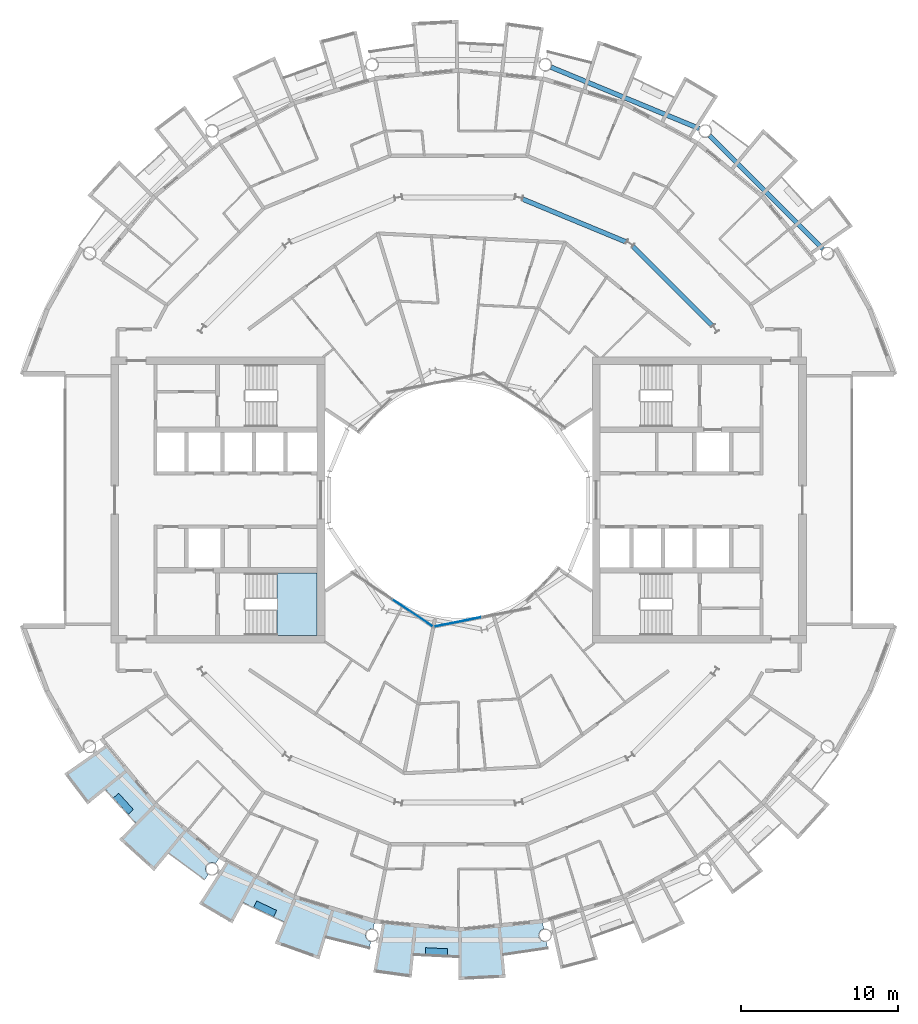
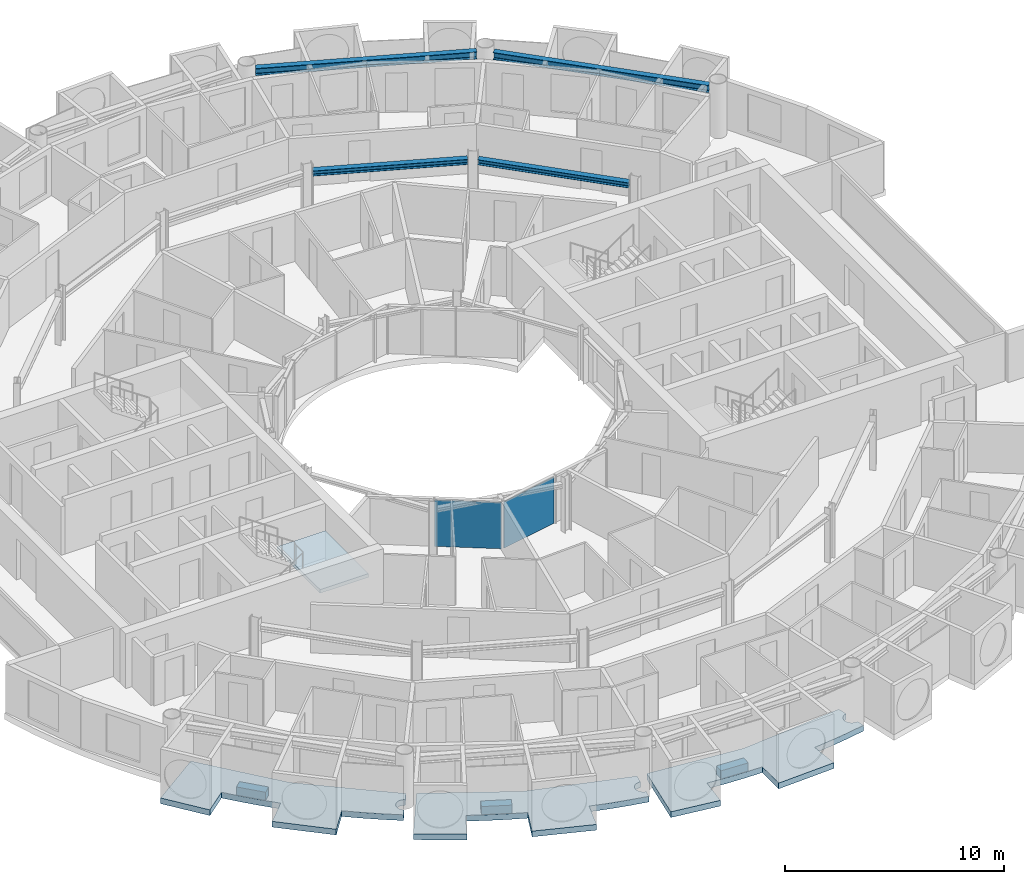
# One storey, part 10 of 27: 7 slabs, 4 beams, 2 plates, 3 elements without a shape of their own.
"""IFC4 building model written with IfcOpenShell, lengths in metres."""

from ifc_helpers import new_model, si_unit, direction, frame, origin, origin_2d, place, context, subcontext, project, spatial, polyline, rectangle, i_section, outline, extrude, material, layer, layer_set, material_profile, profile_set, type_object, element, aggregate, save


model = new_model("IFC4")

# Units and contexts
model_context = context("Model", 3, precision=1e-05, world=origin(), true_north=direction((0.0, 1.0)))
body_context = subcontext(model_context, "Body", "Model", "MODEL_VIEW")
ifc_project = project(units=[si_unit("LENGTHUNIT", "METRE"), si_unit("AREAUNIT", "SQUARE_METRE"), si_unit("VOLUMEUNIT", "CUBIC_METRE"), si_unit("PLANEANGLEUNIT", "RADIAN"), si_unit("MASSUNIT", "GRAM", prefix="KILO")], contexts=[model_context])

# Site, building, storey
site_placement = place(None, origin())
site = spatial("IfcSite", under=ifc_project, at=site_placement, CompositionType="ELEMENT")
building_placement = place(site_placement, origin())
building = spatial("IfcBuilding", under=site, at=building_placement, Name="Maasbend Ring Residences", CompositionType="ELEMENT")
storey_placement = place(building_placement, frame((0.0, 0.0, 167.699951171875)))
storey = spatial("IfcBuildingStorey", under=building, at=storey_placement, Name="L48", CompositionType="ELEMENT", Elevation=167.699951171875)

# Beams
ifc_material_1 = material(Name="Steel S355J2", Category="steel")
ifc_material_profile_1 = material_profile(ifc_material_1, i_section(OverallWidth=0.300048828125, OverallDepth=0.2900390625, WebThickness=0.008544921875, FlangeThickness=0.013916015625, FilletRadius=0.027099609375, at=origin_2d()), Name="HEA 300")
ifc_profile_set_1 = profile_set([ifc_material_profile_1], Name="Steel S355J2")
beam_type_1 = type_object("IfcBeamType", Name="Corridor ring beam HEA 300", PredefinedType="BEAM", material=ifc_profile_set_1)
for number, where, z_axis, x_axis, name in (
    (1, (16.11669921875, 11.0693359375, 2.554931640625), (-0.707106781187, 0.707106781187, 0.0), (-0.707106781187, -0.707106781187, 0.0), "Corridor ring beam"),
    (2, (10.65380859375, 16.394287109375, 2.554931640625), (-0.923871339849, 0.382703210602, 0.0), (-0.382703210602, -0.923871339849, 0.0), "Corridor ring beam"),
):
    element("IfcBeam", number, at=place(storey_placement, frame(where, z_axis=z_axis, x_axis=x_axis)), inside=storey, type_object=beam_type_1, Name=name, PredefinedType="BEAM", context=body_context, shape_type="SweptSolid", body=[
        extrude(i_section(OverallWidth=0.300048828125, OverallDepth=0.2900390625, WebThickness=0.008544921875, FlangeThickness=0.013916015625, FilletRadius=0.027099609375, at=origin_2d()), origin(), (0.0, 0.0, 1.0), 7.137939453125),
    ])
ifc_material_2 = material(Name="Steel S355J2", Category="steel")
ifc_material_profile_2 = material_profile(ifc_material_2, i_section(OverallWidth=0.300048828125, OverallDepth=0.39990234375, WebThickness=0.013427734375, FlangeThickness=0.02392578125, FilletRadius=0.027099609375, at=origin_2d()), Name="HEB 400")
ifc_profile_set_2 = profile_set([ifc_material_profile_2], Name="Steel S355J2")
beam_type_2 = type_object("IfcBeamType", Name="Spandrel ring beam HEB 400", PredefinedType="SPANDREL", material=ifc_profile_set_2)
for number, where, z_axis, x_axis, name in (
    (3, (23.159912109375, 15.95458984375, 2.5), (-0.707106781187, 0.707106781187, 0.0), (-0.707106781187, -0.707106781187, 0.0), "Spandrel ring beam"),
    (4, (15.29150390625, 23.60302734375, 2.5), (-0.923883676188, 0.382673428492, 0.0), (-0.382673428492, -0.923883676188, 0.0), "Spandrel ring beam"),
):
    element("IfcBeam", number, at=place(storey_placement, frame(where, z_axis=z_axis, x_axis=x_axis)), inside=storey, type_object=beam_type_2, Name=name, PredefinedType="SPANDREL", context=body_context, shape_type="SweptSolid", body=[
        extrude(i_section(OverallWidth=0.300048828125, OverallDepth=0.39990234375, WebThickness=0.013427734375, FlangeThickness=0.02392578125, FilletRadius=0.027099609375, at=origin_2d()), origin(), (0.0, 0.0, 1.0), 10.18994140625),
    ])

# Stair, slab
ifc_material_3 = material(Name="Concrete C40/50", Category="concrete")
stair_type = type_object("IfcStairType", Name="CORE STAIR 18 RISERS", PredefinedType="HALF_TURN_STAIR", material=ifc_material_3)
stair_placement = place(storey_placement, origin())
stair = element("IfcStair", 5, at=stair_placement, inside=storey, type_object=stair_type, Name="L48 Exit stair ST-W1", PredefinedType="HALF_TURN_STAIR")
ifc_material_4 = material(Name="Concrete C40/50", Category="concrete")
ifc_layer_1 = layer(ifc_material_4, 0.199951171875)
ifc_layer_set_1 = layer_set([ifc_layer_1], Name="Concrete C40/50")
slab_type_1 = type_object("IfcSlabType", Name="CORE STAIR LANDING 200", PredefinedType="LANDING", material=ifc_layer_set_1)
slab_1_placement = place(storey_placement, frame((0.0, 0.0, 1.324951171875)))
slab_1 = element("IfcSlab", 6, at=slab_1_placement, type_object=slab_type_1, Name="ST-W1 landing 1", PredefinedType="LANDING", context=body_context, shape_type="SweptSolid", body=[
    extrude(outline(polyline([(-11.550048828125, -8.60009765625), (-9.0, -8.60009765625), (-9.0, -4.64990234375), (-11.550048828125, -4.64990234375), (-11.550048828125, -8.60009765625)])), origin(), (0.0, 0.0, 1.0), 0.2001953125),
])
aggregate(stair, [slab_1])

# Curtain wall, plate
ifc_material_5 = material(Name="Aluminium and clear glass", Category="aluminium")
ifc_layer_2 = layer(ifc_material_5, 0.179931640625)
ifc_layer_set_2 = layer_set([ifc_layer_2], Name="CW-W")
curtain_wall_type = type_object("IfcCurtainWallType", Name="CW-W", PredefinedType="NOTDEFINED", material=ifc_layer_set_2)
curtain_wall_1_placement = place(storey_placement, origin())
curtain_wall_1 = element("IfcCurtainWall", 7, at=curtain_wall_1_placement, inside=storey, type_object=curtain_wall_type, Name="Well curtain wall S1", PredefinedType="NOTDEFINED")
ifc_material_6 = material(Name="Glass clear laminated", Category="glass")
ifc_layer_3 = layer(ifc_material_6, 0.031982421875)
ifc_layer_set_3 = layer_set([ifc_layer_3], Name="CWP-W")
plate_type = type_object("IfcPlateType", Name="CWP-W", PredefinedType="CURTAIN_PANEL", material=ifc_layer_set_3)
plate_1_placement = place(storey_placement, frame((-2.922119140625, -7.17578125, 0.0), z_axis=(0.0, 0.0, 1.0), x_axis=(0.831469612303, -0.55557023302, 0.0)))
plate_1 = element("IfcPlate", 8, at=plate_1_placement, type_object=plate_type, Name="Glass panel well face", PredefinedType="CURTAIN_PANEL", context=body_context, shape_type="SweptSolid", body=[
    extrude(rectangle(XDim=3.053955078125, YDim=0.031982421875, at=origin_2d()), origin(), (0.0, 0.0, 1.0), 2.580078125),
])
aggregate(curtain_wall_1, [plate_1])

curtain_wall_2_placement = place(storey_placement, origin())
curtain_wall_2 = element("IfcCurtainWall", 9, at=curtain_wall_2_placement, inside=storey, type_object=curtain_wall_type, Name="Well curtain wall S2", PredefinedType="NOTDEFINED")
plate_2_placement = place(storey_placement, frame((-0.04638671875, -7.747802734375, 0.0), z_axis=(0.0, 0.0, 1.0), x_axis=(0.980785280403, 0.195090322016, 0.0)))
plate_2 = element("IfcPlate", 10, at=plate_2_placement, type_object=plate_type, Name="Glass panel well face", PredefinedType="CURTAIN_PANEL", context=body_context, shape_type="SweptSolid", body=[
    extrude(rectangle(XDim=3.053955078125, YDim=0.031982421875, at=origin_2d()), origin(), (0.0, 0.0, 1.0), 2.580078125),
])
aggregate(curtain_wall_2, [plate_2])

# Slabs
ifc_material_7 = material(Name="Planting with climbing greenery")
ifc_layer_4 = layer(ifc_material_7, 0.449951171875)
ifc_layer_set_4 = layer_set([ifc_layer_4], Name="PLANTER-LG")
slab_type_2 = type_object("IfcSlabType", Name="PLANTER-LG", PredefinedType="USERDEFINED", material=ifc_layer_set_4)
slab_2_placement = place(storey_placement, frame((0.0, 0.0, -0.030029296875)))
element("IfcSlab", 11, at=slab_2_placement, inside=storey, type_object=slab_type_2, Name="Planter with climbing greenery 1", ObjectType="PLANTER", PredefinedType="USERDEFINED", context=body_context, shape_type="SweptSolid", body=[
    extrude(outline(polyline([(-21.931884765625, -18.93310546875), (-20.991943359375, -19.969970703125), (-20.657958984375, -19.66796875), (-21.597900390625, -18.631103515625), (-21.931884765625, -18.93310546875)])), origin(), (0.0, 0.0, 1.0), 0.4501953125),
])
slab_3_placement = place(storey_placement, frame((0.0, 0.0, -0.030029296875)))
element("IfcSlab", 12, at=slab_3_placement, inside=storey, type_object=slab_type_2, Name="Planter with climbing greenery 2", ObjectType="PLANTER", PredefinedType="USERDEFINED", context=body_context, shape_type="SweptSolid", body=[
    extrude(outline(polyline([(-13.01708984375, -25.885009765625), (-11.7509765625, -26.48291015625), (-11.55908203125, -26.076904296875), (-12.824951171875, -25.47802734375), (-13.01708984375, -25.885009765625)])), origin(), (0.0, 0.0, 1.0), 0.4501953125),
])
slab_4_placement = place(storey_placement, frame((0.0, 0.0, -0.030029296875)))
element("IfcSlab", 13, at=slab_4_placement, inside=storey, type_object=slab_type_2, Name="Planter with climbing greenery 3", ObjectType="PLANTER", PredefinedType="USERDEFINED", context=body_context, shape_type="SweptSolid", body=[
    extrude(outline(polyline([(-2.1201171875, -28.89599609375), (-0.721923828125, -28.965087890625), (-0.699951171875, -28.514892578125), (-2.097900390625, -28.446044921875), (-2.1201171875, -28.89599609375)])), origin(), (0.0, 0.0, 1.0), 0.4501953125),
])
ifc_material_8 = material(Name="Concrete C40/50", Category="concrete")
ifc_layer_5 = layer(ifc_material_8, 0.199951171875)
ifc_layer_set_5 = layer_set([ifc_layer_5], Name="Concrete C40/50")
slab_type_3 = type_object("IfcSlabType", Name="SL-LOGGIA", PredefinedType="FLOOR", material=ifc_layer_set_5)
slab_5_placement = place(storey_placement, frame((0.0, 0.0, -0.349853515625)))
element("IfcSlab", 14, at=slab_5_placement, inside=storey, type_object=slab_type_3, Name="Loggia floor 2", PredefinedType="FLOOR", context=body_context, shape_type="SweptSolid", body=[
    extrude(outline(polyline([(-12.806884765625, -23.9609375), (-10.447021484375, -25.221923828125), (-10.447021484375, -25.221923828125), (-10.447021484375, -25.221923828125), (-7.886962890625, -25.9990234375), (-5.325927734375, -26.77490234375), (-5.325927734375, -26.77490234375), (-5.325927734375, -26.77490234375), (-5.422119140625, -27.259033203125), (-5.431884765625, -27.258056640625), (-5.44189453125, -27.256103515625), (-5.451904296875, -27.2548828125), (-5.4619140625, -27.25390625), (-5.471923828125, -27.2529296875), (-5.48193359375, -27.251953125), (-5.491943359375, -27.251953125), (-5.501953125, -27.251953125), (-5.510986328125, -27.251953125), (-5.52099609375, -27.251953125), (-5.531005859375, -27.2529296875), (-5.541015625, -27.25390625), (-5.551025390625, -27.2548828125), (-5.56103515625, -27.256103515625), (-5.571044921875, -27.258056640625), (-5.5810546875, -27.259033203125), (-5.591064453125, -27.260986328125), (-5.60009765625, -27.263916015625), (-5.610107421875, -27.26611328125), (-5.6201171875, -27.26904296875), (-5.62890625, -27.27197265625), (-5.637939453125, -27.27490234375), (-5.64794921875, -27.279052734375), (-5.656982421875, -27.282958984375), (-5.666015625, -27.285888671875), (-5.675048828125, -27.291015625), (-5.68408203125, -27.294921875), (-5.693115234375, -27.300048828125), (-5.701904296875, -27.303955078125), (-5.7099609375, -27.30908203125), (-5.718994140625, -27.31494140625), (-5.72705078125, -27.320068359375), (-5.736083984375, -27.325927734375), (-5.743896484375, -27.33203125), (-5.751953125, -27.337890625), (-5.759033203125, -27.343994140625), (-5.76708984375, -27.35009765625), (-5.77392578125, -27.35693359375), (-5.781982421875, -27.364013671875), (-5.7890625, -27.37109375), (-5.7958984375, -27.3779296875), (-5.802978515625, -27.385009765625), (-5.80908203125, -27.39306640625), (-5.81591796875, -27.39990234375), (-5.822021484375, -27.407958984375), (-5.827880859375, -27.416015625), (-5.833984375, -27.424072265625), (-5.839111328125, -27.431884765625), (-5.844970703125, -27.44091796875), (-5.85009765625, -27.448974609375), (-5.85498046875, -27.4580078125), (-5.860107421875, -27.466064453125), (-5.864990234375, -27.47509765625), (-5.868896484375, -27.48388671875), (-5.873046875, -27.492919921875), (-5.876953125, -27.5029296875), (-5.881103515625, -27.511962890625), (-5.884033203125, -27.52099609375), (-5.886962890625, -27.531005859375), (-5.889892578125, -27.5400390625), (-5.89306640625, -27.550048828125), (-5.89599609375, -27.55908203125), (-5.89794921875, -27.569091796875), (-5.89990234375, -27.5791015625), (-5.902099609375, -27.589111328125), (-5.904052734375, -27.597900390625), (-5.905029296875, -27.60791015625), (-5.906005859375, -27.617919921875), (-5.906982421875, -27.6279296875), (-5.907958984375, -27.637939453125), (-5.907958984375, -27.64794921875), (-5.907958984375, -27.657958984375), (-5.907958984375, -27.66796875), (-5.907958984375, -27.677978515625), (-5.906982421875, -27.68798828125), (-5.906005859375, -27.697998046875), (-5.905029296875, -27.7080078125), (-5.904052734375, -27.718017578125), (-5.902099609375, -27.72802734375), (-5.89990234375, -27.737060546875), (-5.89794921875, -27.7470703125), (-5.89599609375, -27.757080078125), (-5.89306640625, -27.76708984375), (-5.889892578125, -27.77587890625), (-5.886962890625, -27.785888671875), (-5.884033203125, -27.794921875), (-5.881103515625, -27.803955078125), (-5.876953125, -27.81396484375), (-5.873046875, -27.822998046875), (-5.868896484375, -27.83203125), (-5.864990234375, -27.841064453125), (-5.860107421875, -27.85009765625), (-5.85498046875, -27.85791015625), (-5.85009765625, -27.866943359375), (-5.844970703125, -27.8759765625), (-5.839111328125, -27.884033203125), (-5.833984375, -27.89208984375), (-5.827880859375, -27.89990234375), (-5.822021484375, -27.907958984375), (-5.81591796875, -27.916015625), (-5.80908203125, -27.924072265625), (-5.802978515625, -27.930908203125), (-5.7958984375, -27.93798828125), (-5.7890625, -27.946044921875), (-5.781982421875, -27.952880859375), (-5.77392578125, -27.958984375), (-5.76708984375, -27.966064453125), (-5.759033203125, -27.971923828125), (-5.751953125, -27.97900390625), (-5.743896484375, -27.985107421875), (-5.736083984375, -27.989990234375), (-5.72705078125, -27.99609375), (-5.718994140625, -28.001953125), (-5.7099609375, -28.007080078125), (-5.701904296875, -28.011962890625), (-5.693115234375, -28.01708984375), (-5.68408203125, -28.02099609375), (-5.675048828125, -28.02587890625), (-5.666015625, -28.030029296875), (-5.656982421875, -28.033935546875), (-5.64794921875, -28.037109375), (-5.637939453125, -28.041015625), (-5.62890625, -28.0439453125), (-5.6201171875, -28.047119140625), (-5.610107421875, -28.050048828125), (-5.60009765625, -28.052001953125), (-5.591064453125, -28.054931640625), (-5.5810546875, -28.056884765625), (-5.657958984375, -28.443115234375), (-5.657958984375, -28.443115234375), (-5.657958984375, -28.443115234375), (-6.5849609375, -28.241943359375), (-6.5849609375, -28.241943359375), (-7.506103515625, -28.011962890625), (-7.506103515625, -28.011962890625), (-8.41796875, -27.7509765625), (-8.41796875, -27.7509765625), (-8.41796875, -27.7509765625), (-8.41796875, -27.7509765625), (-8.41796875, -27.7509765625), (-8.41796875, -27.7509765625), (-8.41796875, -27.7509765625), (-8.41796875, -27.7509765625), (-8.41796875, -27.7509765625), (-8.41796875, -27.7509765625), (-8.41796875, -27.751953125), (-8.41796875, -27.751953125), (-8.41796875, -27.751953125), (-8.41796875, -27.751953125), (-8.41796875, -27.751953125), (-8.41796875, -27.751953125), (-8.41796875, -27.751953125), (-8.85400390625, -29.18701171875), (-8.85400390625, -29.18701171875), (-8.85400390625, -29.18701171875), (-11.672119140625, -28.177978515625), (-11.672119140625, -28.177978515625), (-11.672119140625, -28.177978515625), (-11.097900390625, -26.79296875), (-11.097900390625, -26.79296875), (-11.097900390625, -26.79296875), (-11.097900390625, -26.79296875), (-11.097900390625, -26.79296875), (-11.097900390625, -26.79296875), (-11.097900390625, -26.79296875), (-11.097900390625, -26.79296875), (-11.097900390625, -26.79296875), (-11.097900390625, -26.79296875), (-11.097900390625, -26.7919921875), (-11.097900390625, -26.7919921875), (-11.097900390625, -26.7919921875), (-11.097900390625, -26.7919921875), (-11.097900390625, -26.7919921875), (-11.097900390625, -26.7919921875), (-11.097900390625, -26.7919921875), (-11.968994140625, -26.4150390625), (-11.968994140625, -26.4150390625), (-12.825927734375, -26.009033203125), (-12.825927734375, -26.009033203125), (-13.669921875, -25.575927734375), (-13.669921875, -25.575927734375), (-13.669921875, -25.575927734375), (-13.669921875, -25.575927734375), (-13.669921875, -25.575927734375), (-13.669921875, -25.575927734375), (-13.669921875, -25.575927734375), (-13.669921875, -25.575927734375), (-13.669921875, -25.575927734375), (-13.669921875, -25.575927734375), (-13.6708984375, -25.575927734375), (-13.6708984375, -25.575927734375), (-13.6708984375, -25.575927734375), (-13.6708984375, -25.575927734375), (-13.6708984375, -25.575927734375), (-13.6708984375, -25.575927734375), (-13.6708984375, -25.575927734375), (-14.3779296875, -26.89892578125), (-14.3779296875, -26.89892578125), (-14.3779296875, -26.89892578125), (-16.487060546875, -25.659912109375), (-16.487060546875, -25.659912109375), (-16.487060546875, -25.659912109375), (-14.73291015625, -22.930908203125), (-14.73291015625, -22.930908203125), (-14.73291015625, -22.930908203125), (-12.806884765625, -23.9609375)])), origin(), (0.0, 0.0, 1.0), 0.31982421875),
])
slab_6_placement = place(storey_placement, frame((0.0, 0.0, -0.349853515625)))
element("IfcSlab", 15, at=slab_6_placement, inside=storey, type_object=slab_type_3, Name="Loggia floor 3", PredefinedType="FLOOR", context=body_context, shape_type="SweptSolid", body=[
    extrude(outline(polyline([(-2.6630859375, -27.0380859375), (0.0, -27.300048828125), (0.0, -27.300048828125), (0.0, -27.300048828125), (2.6630859375, -27.0380859375), (5.325927734375, -26.77490234375), (5.325927734375, -26.77490234375), (5.325927734375, -26.77490234375), (5.422119140625, -27.259033203125), (5.422119140625, -27.259033203125), (5.412109375, -27.260986328125), (5.403076171875, -27.263916015625), (5.39306640625, -27.26611328125), (5.383056640625, -27.26904296875), (5.3740234375, -27.27197265625), (5.364990234375, -27.27490234375), (5.35498046875, -27.279052734375), (5.345947265625, -27.282958984375), (5.3369140625, -27.285888671875), (5.327880859375, -27.291015625), (5.319091796875, -27.294921875), (5.31005859375, -27.300048828125), (5.301025390625, -27.303955078125), (5.29296875, -27.30908203125), (5.283935546875, -27.31494140625), (5.27587890625, -27.320068359375), (5.26708984375, -27.325927734375), (5.259033203125, -27.33203125), (5.2509765625, -27.337890625), (5.243896484375, -27.343994140625), (5.236083984375, -27.35009765625), (5.22900390625, -27.35693359375), (5.220947265625, -27.364013671875), (5.214111328125, -27.37109375), (5.20703125, -27.3779296875), (5.199951171875, -27.385009765625), (5.194091796875, -27.39306640625), (5.18701171875, -27.39990234375), (5.180908203125, -27.407958984375), (5.175048828125, -27.416015625), (5.1689453125, -27.424072265625), (5.1640625, -27.431884765625), (5.157958984375, -27.44091796875), (5.153076171875, -27.448974609375), (5.14794921875, -27.4580078125), (5.14306640625, -27.466064453125), (5.137939453125, -27.47509765625), (5.134033203125, -27.48388671875), (5.1298828125, -27.492919921875), (5.1259765625, -27.5029296875), (5.1220703125, -27.511962890625), (5.118896484375, -27.52099609375), (5.115966796875, -27.531005859375), (5.113037109375, -27.5400390625), (5.110107421875, -27.550048828125), (5.10693359375, -27.55908203125), (5.10498046875, -27.569091796875), (5.10302734375, -27.5791015625), (5.10107421875, -27.589111328125), (5.09912109375, -27.597900390625), (5.097900390625, -27.60791015625), (5.096923828125, -27.617919921875), (5.095947265625, -27.6279296875), (5.094970703125, -27.637939453125), (5.094970703125, -27.64794921875), (5.094970703125, -27.657958984375), (5.094970703125, -27.66796875), (5.094970703125, -27.677978515625), (5.095947265625, -27.68798828125), (5.096923828125, -27.697998046875), (5.097900390625, -27.7080078125), (5.09912109375, -27.718017578125), (5.10107421875, -27.72802734375), (5.10302734375, -27.737060546875), (5.10498046875, -27.7470703125), (5.10693359375, -27.757080078125), (5.110107421875, -27.76708984375), (5.113037109375, -27.77587890625), (5.115966796875, -27.785888671875), (5.118896484375, -27.794921875), (5.1220703125, -27.803955078125), (5.1259765625, -27.81396484375), (5.1298828125, -27.822998046875), (5.134033203125, -27.83203125), (5.137939453125, -27.841064453125), (5.14306640625, -27.85009765625), (5.14794921875, -27.85791015625), (5.153076171875, -27.866943359375), (5.157958984375, -27.8759765625), (5.1640625, -27.884033203125), (5.1689453125, -27.89208984375), (5.175048828125, -27.89990234375), (5.180908203125, -27.907958984375), (5.18701171875, -27.916015625), (5.194091796875, -27.924072265625), (5.199951171875, -27.930908203125), (5.20703125, -27.93798828125), (5.214111328125, -27.946044921875), (5.220947265625, -27.952880859375), (5.22900390625, -27.958984375), (5.236083984375, -27.966064453125), (5.243896484375, -27.971923828125), (5.2509765625, -27.97900390625), (5.259033203125, -27.985107421875), (5.26708984375, -27.989990234375), (5.27587890625, -27.99609375), (5.283935546875, -28.001953125), (5.29296875, -28.007080078125), (5.301025390625, -28.011962890625), (5.31005859375, -28.01708984375), (5.319091796875, -28.02099609375), (5.327880859375, -28.02587890625), (5.3369140625, -28.030029296875), (5.345947265625, -28.033935546875), (5.35498046875, -28.037109375), (5.364990234375, -28.041015625), (5.3740234375, -28.0439453125), (5.383056640625, -28.047119140625), (5.39306640625, -28.050048828125), (5.403076171875, -28.052001953125), (5.412109375, -28.054931640625), (5.422119140625, -28.056884765625), (5.431884765625, -28.05908203125), (5.44189453125, -28.06005859375), (5.451904296875, -28.06201171875), (5.4619140625, -28.06298828125), (5.471923828125, -28.06298828125), (5.48193359375, -28.06396484375), (5.491943359375, -28.06396484375), (5.501953125, -28.06494140625), (5.510986328125, -28.06396484375), (5.52099609375, -28.06396484375), (5.531005859375, -28.06298828125), (5.541015625, -28.06298828125), (5.551025390625, -28.06201171875), (5.56103515625, -28.06005859375), (5.571044921875, -28.05908203125), (5.5810546875, -28.056884765625), (5.5810546875, -28.056884765625), (5.657958984375, -28.443115234375), (5.657958984375, -28.443115234375), (5.657958984375, -28.443115234375), (4.72412109375, -28.613037109375), (4.72412109375, -28.613037109375), (3.784912109375, -28.751953125), (3.784912109375, -28.751953125), (2.843017578125, -28.860107421875), (2.843017578125, -28.860107421875), (2.843017578125, -28.860107421875), (2.843017578125, -28.860107421875), (2.843017578125, -28.860107421875), (2.843017578125, -28.860107421875), (2.843017578125, -28.860107421875), (2.843017578125, -28.860107421875), (2.843017578125, -28.860107421875), (2.843017578125, -28.861083984375), (2.843017578125, -28.861083984375), (2.843017578125, -28.861083984375), (2.843017578125, -28.861083984375), (2.843017578125, -28.861083984375), (2.843017578125, -28.861083984375), (2.843017578125, -28.861083984375), (2.843017578125, -28.861083984375), (2.989990234375, -30.35302734375), (2.989990234375, -30.35302734375), (2.989990234375, -30.35302734375), (0.0, -30.5), (0.0, -30.5), (0.0, -30.5), (0.0, -29.0), (0.0, -29.0), (0.0, -29.0), (0.0, -29.0), (0.0, -29.0), (0.0, -29.0), (0.0, -29.0), (0.0, -29.0), (0.0, -29.0), (0.0, -29.0), (0.0, -29.0), (0.0, -29.0), (0.0, -29.0), (0.0, -29.0), (0.0, -29.0), (0.0, -29.0), (0.0, -29.0), (-0.948974609375, -28.98388671875), (-0.948974609375, -28.98388671875), (-1.89697265625, -28.93798828125), (-1.89697265625, -28.93798828125), (-2.842041015625, -28.860107421875), (-2.842041015625, -28.860107421875), (-2.842041015625, -28.860107421875), (-2.842041015625, -28.860107421875), (-2.842041015625, -28.860107421875), (-2.842041015625, -28.860107421875), (-2.842041015625, -28.860107421875), (-2.842041015625, -28.860107421875), (-2.842041015625, -28.861083984375), (-2.842041015625, -28.861083984375), (-2.842041015625, -28.861083984375), (-2.842041015625, -28.861083984375), (-2.842041015625, -28.861083984375), (-2.843017578125, -28.861083984375), (-2.843017578125, -28.861083984375), (-2.843017578125, -28.861083984375), (-2.843017578125, -28.861083984375), (-2.989990234375, -30.35302734375), (-2.989990234375, -30.35302734375), (-2.989990234375, -30.35302734375), (-5.412109375, -30.01611328125), (-5.412109375, -30.01611328125), (-5.412109375, -30.01611328125), (-4.8359375, -26.823974609375), (-4.8359375, -26.823974609375), (-4.8359375, -26.823974609375), (-2.6630859375, -27.0380859375)])), origin(), (0.0, 0.0, 1.0), 0.31982421875),
])
slab_7_placement = place(storey_placement, frame((0.0, 0.0, -0.349853515625)))
element("IfcSlab", 16, at=slab_7_placement, inside=storey, type_object=slab_type_3, Name="Loggia floor 5", PredefinedType="FLOOR", context=body_context, shape_type="SweptSolid", body=[
    extrude(outline(polyline([(-21.001953125, -17.236083984375), (-19.303955078125, -19.303955078125), (-19.303955078125, -19.303955078125), (-19.303955078125, -19.303955078125), (-17.236083984375, -21.001953125), (-15.1669921875, -22.698974609375), (-15.1669921875, -22.698974609375), (-15.1669921875, -22.698974609375), (-15.44091796875, -23.10888671875), (-15.44091796875, -23.10888671875), (-15.449951171875, -23.10400390625), (-15.4580078125, -23.09912109375), (-15.467041015625, -23.093994140625), (-15.47509765625, -23.089111328125), (-15.48388671875, -23.083984375), (-15.492919921875, -23.080078125), (-15.501953125, -23.075927734375), (-15.511962890625, -23.072021484375), (-15.52099609375, -23.068115234375), (-15.530029296875, -23.06494140625), (-15.5400390625, -23.06103515625), (-15.549072265625, -23.05810546875), (-15.55908203125, -23.055908203125), (-15.568115234375, -23.052978515625), (-15.577880859375, -23.051025390625), (-15.587890625, -23.049072265625), (-15.597900390625, -23.047119140625), (-15.60693359375, -23.044921875), (-15.616943359375, -23.0439453125), (-15.626953125, -23.04296875), (-15.636962890625, -23.0419921875), (-15.64697265625, -23.041015625), (-15.656982421875, -23.041015625), (-15.6669921875, -23.041015625), (-15.677001953125, -23.041015625), (-15.68701171875, -23.041015625), (-15.697021484375, -23.0419921875), (-15.70703125, -23.04296875), (-15.717041015625, -23.0439453125), (-15.72705078125, -23.044921875), (-15.737060546875, -23.047119140625), (-15.74609375, -23.049072265625), (-15.756103515625, -23.051025390625), (-15.76611328125, -23.052978515625), (-15.77587890625, -23.055908203125), (-15.784912109375, -23.05810546875), (-15.794921875, -23.06103515625), (-15.803955078125, -23.06494140625), (-15.81298828125, -23.068115234375), (-15.822998046875, -23.072021484375), (-15.83203125, -23.075927734375), (-15.841064453125, -23.080078125), (-15.85009765625, -23.083984375), (-15.85888671875, -23.089111328125), (-15.866943359375, -23.093994140625), (-15.8759765625, -23.09912109375), (-15.885009765625, -23.10400390625), (-15.89306640625, -23.10888671875), (-15.90087890625, -23.114990234375), (-15.908935546875, -23.12109375), (-15.9169921875, -23.126953125), (-15.925048828125, -23.133056640625), (-15.93310546875, -23.139892578125), (-15.93994140625, -23.14599609375), (-15.947021484375, -23.153076171875), (-15.955078125, -23.159912109375), (-15.9619140625, -23.1669921875), (-15.968017578125, -23.174072265625), (-15.97509765625, -23.181884765625), (-15.98095703125, -23.18994140625), (-15.988037109375, -23.197021484375), (-15.993896484375, -23.205078125), (-15.9990234375, -23.212890625), (-16.0048828125, -23.221923828125), (-16.010986328125, -23.22998046875), (-16.01611328125, -23.238037109375), (-16.02099609375, -23.2470703125), (-16.02587890625, -23.256103515625), (-16.030029296875, -23.264892578125), (-16.034912109375, -23.27392578125), (-16.0390625, -23.282958984375), (-16.04296875, -23.2919921875), (-16.0458984375, -23.301025390625), (-16.050048828125, -23.31005859375), (-16.052978515625, -23.320068359375), (-16.055908203125, -23.3291015625), (-16.05908203125, -23.339111328125), (-16.06103515625, -23.34912109375), (-16.06396484375, -23.35791015625), (-16.06591796875, -23.367919921875), (-16.068115234375, -23.3779296875), (-16.069091796875, -23.387939453125), (-16.071044921875, -23.39794921875), (-16.072021484375, -23.407958984375), (-16.072021484375, -23.4169921875), (-16.072998046875, -23.427001953125), (-16.072998046875, -23.43701171875), (-16.073974609375, -23.447021484375), (-16.072998046875, -23.45703125), (-16.072998046875, -23.467041015625), (-16.072021484375, -23.47705078125), (-16.072021484375, -23.487060546875), (-16.071044921875, -23.4970703125), (-16.069091796875, -23.507080078125), (-16.068115234375, -23.51708984375), (-16.06591796875, -23.527099609375), (-16.06396484375, -23.535888671875), (-16.06103515625, -23.5458984375), (-16.05908203125, -23.555908203125), (-16.055908203125, -23.56494140625), (-16.052978515625, -23.574951171875), (-16.050048828125, -23.583984375), (-16.0458984375, -23.593994140625), (-16.04296875, -23.60302734375), (-16.0390625, -23.612060546875), (-16.034912109375, -23.62109375), (-16.030029296875, -23.6298828125), (-16.02587890625, -23.638916015625), (-16.02099609375, -23.64794921875), (-16.01611328125, -23.656005859375), (-16.010986328125, -23.6650390625), (-16.0048828125, -23.673095703125), (-15.9990234375, -23.680908203125), (-15.993896484375, -23.68994140625), (-15.988037109375, -23.697021484375), (-15.98095703125, -23.705078125), (-15.97509765625, -23.712890625), (-15.968017578125, -23.719970703125), (-15.9619140625, -23.72802734375), (-15.955078125, -23.735107421875), (-15.947021484375, -23.741943359375), (-15.93994140625, -23.7490234375), (-15.93310546875, -23.7548828125), (-15.925048828125, -23.761962890625), (-15.9169921875, -23.76806640625), (-15.908935546875, -23.77392578125), (-15.90087890625, -23.780029296875), (-15.89306640625, -23.784912109375), (-15.89306640625, -23.784912109375), (-16.112060546875, -24.113037109375), (-16.112060546875, -24.113037109375), (-16.112060546875, -24.113037109375), (-16.89208984375, -23.572998046875), (-16.89208984375, -23.572998046875), (-17.654052734375, -23.007080078125), (-17.654052734375, -23.007080078125), (-18.39697265625, -22.41796875), (-18.39697265625, -22.41796875), (-18.39697265625, -22.41796875), (-18.39697265625, -22.41796875), (-18.39697265625, -22.41796875), (-18.39697265625, -22.41796875), (-18.39697265625, -22.41796875), (-18.39697265625, -22.41796875), (-18.39697265625, -22.41796875), (-18.39697265625, -22.41796875), (-18.39697265625, -22.41796875), (-18.39794921875, -22.41796875), (-18.39794921875, -22.41796875), (-18.39794921875, -22.41796875), (-18.39794921875, -22.41796875), (-18.39794921875, -22.41796875), (-18.39794921875, -22.41796875), (-19.34912109375, -23.576904296875), (-19.34912109375, -23.576904296875), (-19.34912109375, -23.576904296875), (-21.56689453125, -21.56689453125), (-21.56689453125, -21.56689453125), (-21.56689453125, -21.56689453125), (-20.506103515625, -20.506103515625), (-20.506103515625, -20.506103515625), (-20.506103515625, -20.506103515625), (-20.506103515625, -20.506103515625), (-20.506103515625, -20.506103515625), (-20.506103515625, -20.506103515625), (-20.506103515625, -20.506103515625), (-20.506103515625, -20.506103515625), (-20.506103515625, -20.506103515625), (-20.506103515625, -20.506103515625), (-20.506103515625, -20.506103515625), (-20.506103515625, -20.506103515625), (-20.506103515625, -20.506103515625), (-20.506103515625, -20.506103515625), (-20.506103515625, -20.506103515625), (-20.506103515625, -20.506103515625), (-20.506103515625, -20.506103515625), (-21.166015625, -19.823974609375), (-21.166015625, -19.823974609375), (-21.802978515625, -19.12109375), (-21.802978515625, -19.12109375), (-22.4169921875, -18.39794921875), (-22.4169921875, -18.39794921875), (-22.4169921875, -18.39794921875), (-22.4169921875, -18.39794921875), (-22.4169921875, -18.39794921875), (-22.4169921875, -18.39794921875), (-22.4169921875, -18.39794921875), (-22.4169921875, -18.39794921875), (-22.4169921875, -18.39794921875), (-22.4169921875, -18.39794921875), (-22.4169921875, -18.39794921875), (-22.4169921875, -18.39794921875), (-22.41796875, -18.39794921875), (-22.41796875, -18.39794921875), (-22.41796875, -18.39794921875), (-22.41796875, -18.39794921875), (-22.41796875, -18.39794921875), (-23.576904296875, -19.34912109375), (-23.576904296875, -19.34912109375), (-23.576904296875, -19.34912109375), (-25.051025390625, -17.39794921875), (-25.051025390625, -17.39794921875), (-25.051025390625, -17.39794921875), (-22.386962890625, -15.547119140625), (-22.386962890625, -15.547119140625), (-22.386962890625, -15.547119140625), (-21.001953125, -17.236083984375)])), origin(), (0.0, 0.0, 1.0), 0.31982421875),
])

save(model, "model.ifc")
